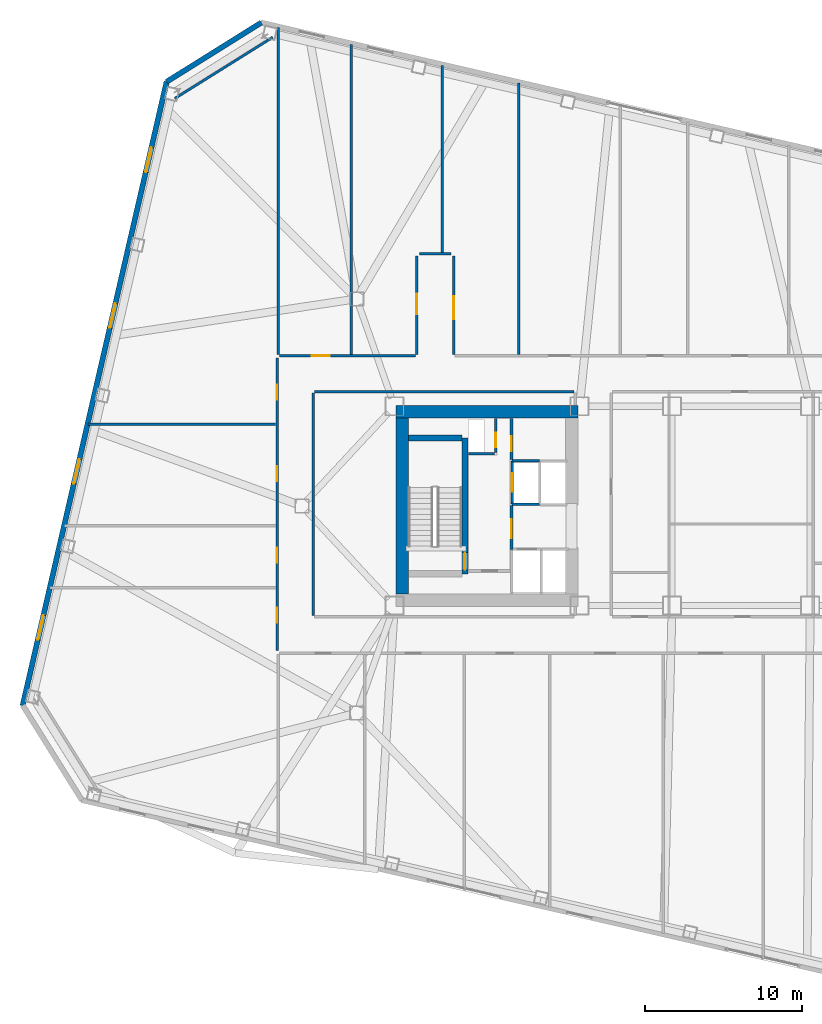
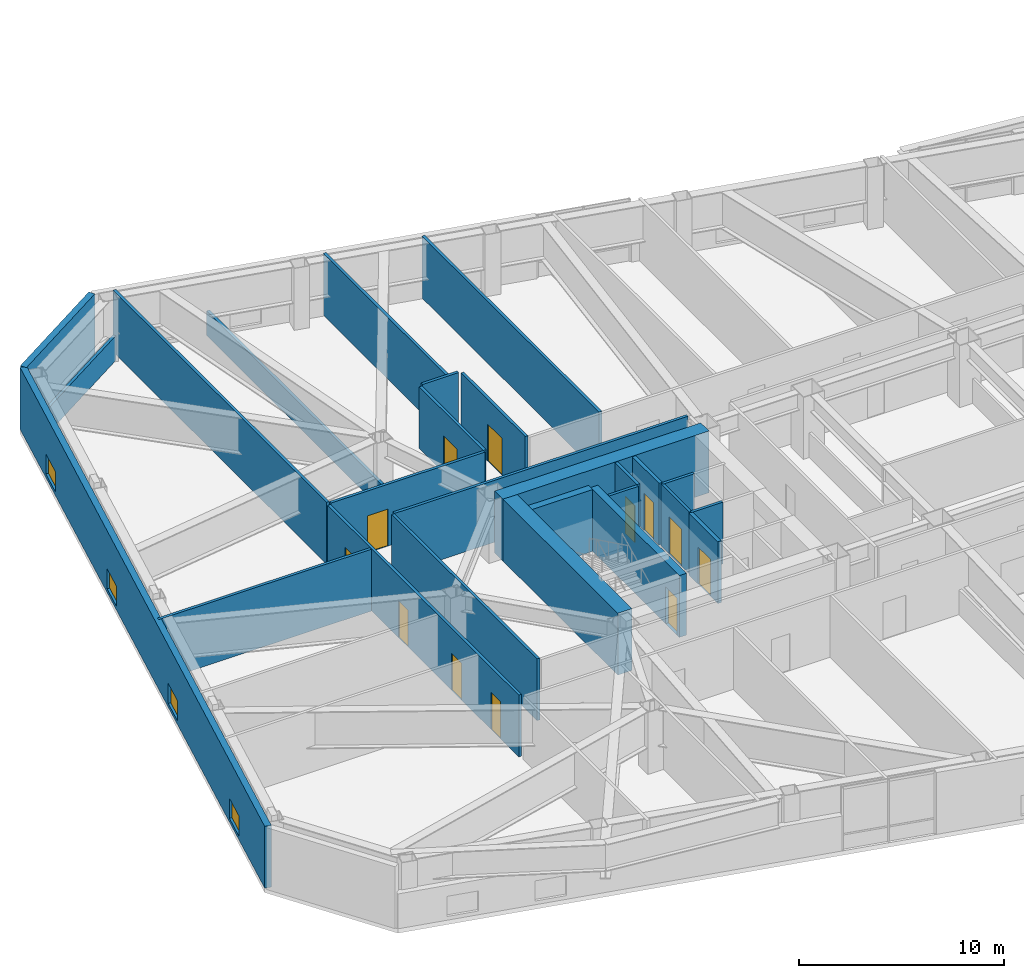
# One storey, part 11 of 19: 26 walls, 12 doors, 4 windows, 16 openings.
"""IFC4 building model written with IfcOpenShell, lengths in metres."""

from ifc_helpers import new_model, si_unit, direction, frame, frame_2d, origin, place, context, subcontext, project, spatial, rectangle, extrude, material, layer, layer_set, type_object, element, fill, save


model = new_model("IFC4")

# Units and contexts
model_context = context("Model", 3, precision=1e-05, world=origin(), true_north=direction((0.0, 1.0)))
body_context = subcontext(model_context, "Body", "Model", "MODEL_VIEW")
ifc_project = project(units=[si_unit("LENGTHUNIT", "METRE"), si_unit("AREAUNIT", "SQUARE_METRE"), si_unit("VOLUMEUNIT", "CUBIC_METRE"), si_unit("PLANEANGLEUNIT", "RADIAN"), si_unit("MASSUNIT", "GRAM", prefix="KILO")], contexts=[model_context])

# Site, building, storey
site_placement = place(None, origin())
site = spatial("IfcSite", under=ifc_project, at=site_placement, CompositionType="ELEMENT")
building_placement = place(site_placement, origin())
building = spatial("IfcBuilding", under=site, at=building_placement, Name="Tavrogorsk Clinical Tower", CompositionType="ELEMENT")
storey_placement = place(building_placement, frame((0.0, 0.0, 79.39990234375)))
storey = spatial("IfcBuildingStorey", under=building, at=storey_placement, Name="L17", CompositionType="ELEMENT", Elevation=79.39990234375)

# Wall, opening, door
ifc_material_1 = material(Name="Concrete B60", Category="concrete")
ifc_layer_1 = layer(ifc_material_1, 0.199951171875)
ifc_layer_set_1 = layer_set([ifc_layer_1], Name="Concrete B60")
wall_type_1 = type_object("IfcWallType", Name="CoreFireWall_200", PredefinedType="SOLIDWALL", material=ifc_layer_set_1)
wall_1_placement = place(storey_placement, frame((-14.639892578125, 2.9599609375, 0.0), z_axis=(0.0, 0.0, 1.0), x_axis=(0.0, 1.0, 0.0)))
wall_1 = element("IfcWall", 1, at=wall_1_placement, inside=storey, type_object=wall_type_1, Name="L17 Core West North Core Room East Wall", PredefinedType="SOLIDWALL", context=body_context, shape_type="SweptSolid", body=[
    extrude(rectangle(XDim=2.60009765625, YDim=0.199951171875, at=frame_2d((1.300048828125, 0.0))), origin(), (0.0, 0.0, 1.0), 3.68017578125),
])
opening_1_placement = place(wall_1_placement, frame((0.52001953125, 0.0, 0.0)))
opening_1 = element("IfcOpeningElement", 2, at=opening_1_placement, cuts=wall_1, Name="Opening ID-02", PredefinedType="OPENING", context=body_context, shape_type="SweptSolid", body=[
    extrude(rectangle(XDim=0.949951171875, YDim=2.199951171875, at=frame_2d((0.47509765625, 1.10009765625))), frame((0.0, 0.10986328125, 0.0), z_axis=(0.0, -1.0, 0.0), x_axis=(1.0, 0.0, 0.0)), (0.0, 0.0, 1.0), 0.219970703125),
])
ifc_material_2 = material(Name="Laminated timber leaf on aluminium frame", Category="wood")
door_type_1 = type_object("IfcDoorType", Name="InteriorDoor_ID02_950", OperationType="NOTDEFINED", PredefinedType="DOOR", material=ifc_material_2)
door_1_placement = place(opening_1_placement, origin())
door_1 = element("IfcDoor", 3, at=door_1_placement, inside=storey, type_object=door_type_1, Name="L17 Core West Core Telemetry Room Door", OperationType="SINGLE_SWING_LEFT", OverallHeight=2.199951171875, OverallWidth=0.949951171875, PredefinedType="DOOR", context=body_context, shape_type="SweptSolid", body=[
    extrude(rectangle(XDim=0.949951171875, YDim=2.199951171875, at=frame_2d((0.47509765625, 1.10009765625))), frame((0.0, 0.02490234375, 0.0), z_axis=(0.0, -1.0, 0.0), x_axis=(1.0, 0.0, 0.0)), (0.0, 0.0, 1.0), 0.050048828125),
])
fill(opening_1, door_1)

wall_2_placement = place(storey_placement, frame((-14.639892578125, -2.780029296875, 0.0), z_axis=(0.0, 0.0, 1.0), x_axis=(0.0, 1.0, 0.0)))
wall_2 = element("IfcWall", 4, at=wall_2_placement, inside=storey, type_object=wall_type_1, Name="L17 Core West Firefighting Lobby Fire Wall", PredefinedType="SOLIDWALL", context=body_context, shape_type="SweptSolid", body=[
    extrude(rectangle(XDim=2.820068359375, YDim=0.199951171875, at=frame_2d((1.41015625, 0.0))), origin(), (0.0, 0.0, 1.0), 3.68017578125),
])
opening_2_placement = place(wall_2_placement, frame((0.72998046875, 0.0, 0.0)))
opening_2 = element("IfcOpeningElement", 5, at=opening_2_placement, cuts=wall_2, Name="Opening FD-01", PredefinedType="OPENING", context=body_context, shape_type="SweptSolid", body=[
    extrude(rectangle(XDim=1.199951171875, YDim=2.199951171875, at=frame_2d((0.60009765625, 1.10009765625))), frame((0.0, 0.10986328125, 0.0), z_axis=(0.0, -1.0, 0.0), x_axis=(1.0, 0.0, 0.0)), (0.0, 0.0, 1.0), 0.219970703125),
])
ifc_material_3 = material(Name="Galvanised steel fire-rated door assembly", Category="steel")
door_type_2 = type_object("IfcDoorType", Name="FireDoor_FD01_1200", OperationType="NOTDEFINED", PredefinedType="DOOR", material=ifc_material_3)
door_2_placement = place(opening_2_placement, origin())
door_2 = element("IfcDoor", 6, at=door_2_placement, inside=storey, type_object=door_type_2, Name="L17 Core West Firefighting Lobby Entry Door", OperationType="SINGLE_SWING_RIGHT", OverallHeight=2.199951171875, OverallWidth=1.199951171875, PredefinedType="DOOR", context=body_context, shape_type="SweptSolid", body=[
    extrude(rectangle(XDim=1.199951171875, YDim=2.199951171875, at=frame_2d((0.60009765625, 1.10009765625))), frame((0.0, 0.02490234375, 0.0), z_axis=(0.0, -1.0, 0.0), x_axis=(1.0, 0.0, 0.0)), (0.0, 0.0, 1.0), 0.050048828125),
])
fill(opening_2, door_2)

# Wall
ifc_material_4 = material(Name="Lightweight concrete blockwork B15", Category="masonry")
ifc_layer_2 = layer(ifc_material_4, 0.159912109375)
ifc_layer_set_2 = layer_set([ifc_layer_2], Name="Lightweight concrete blockwork B15")
wall_type_2 = type_object("IfcWallType", Name="PartitionWall_160", PredefinedType="PARTITIONING", material=ifc_layer_set_2)
wall_3_placement = place(storey_placement, frame((-29.859619140625, 29.8681640625, 0.0), z_axis=(0.0, 0.0, 1.0), x_axis=(-0.848043064089, -0.529927317139, 0.0)))
element("IfcWall", 7, at=wall_3_placement, inside=storey, type_object=wall_type_2, Name="L17 Corner Exoskeleton Brace Furring Wall 3", PredefinedType="PARTITIONING", context=body_context, shape_type="SweptSolid", body=[
    extrude(rectangle(XDim=7.353759765625, YDim=0.159912109375, at=frame_2d((3.6767578125, 0.0))), origin(), (0.0, 0.0, 1.0), 1.47509765625),
])

# Wall, openings, doors
wall_4_placement = place(storey_placement, frame((-29.580078125, -9.215087890625, 0.0), z_axis=(0.0, 0.0, 1.0), x_axis=(0.0, 1.0, 0.0)))
wall_4 = element("IfcWall", 8, at=wall_4_placement, inside=storey, type_object=wall_type_2, Name="L17 Corridor Partition 01", PredefinedType="PARTITIONING", context=body_context, shape_type="SweptSolid", body=[
    extrude(rectangle(XDim=18.630126953125, YDim=0.159912109375, at=frame_2d((9.31494140625, 0.0))), origin(), (0.0, 0.0, 1.0), 3.68017578125),
])
opening_3_placement = place(wall_4_placement, frame((1.76904296875, 0.0, 0.0)))
opening_3 = element("IfcOpeningElement", 9, at=opening_3_placement, cuts=wall_4, Name="Opening ID-02", PredefinedType="OPENING", context=body_context, shape_type="SweptSolid", body=[
    extrude(rectangle(XDim=0.949951171875, YDim=2.199951171875, at=frame_2d((0.47509765625, 1.10009765625))), frame((0.0, 0.08984375, 0.0), z_axis=(0.0, -1.0, 0.0), x_axis=(1.0, 0.0, 0.0)), (0.0, 0.0, 1.0), 0.179931640625),
])
opening_4_placement = place(wall_4_placement, frame((5.60009765625, 0.0, 0.0)))
opening_4 = element("IfcOpeningElement", 10, at=opening_4_placement, cuts=wall_4, Name="Opening ID-02", PredefinedType="OPENING", context=body_context, shape_type="SweptSolid", body=[
    extrude(rectangle(XDim=0.949951171875, YDim=2.199951171875, at=frame_2d((0.47509765625, 1.10009765625))), frame((0.0, 0.08984375, 0.0), z_axis=(0.0, -1.0, 0.0), x_axis=(1.0, 0.0, 0.0)), (0.0, 0.0, 1.0), 0.179931640625),
])
opening_5_placement = place(wall_4_placement, frame((10.800048828125, 0.0, 0.0)))
opening_5 = element("IfcOpeningElement", 11, at=opening_5_placement, cuts=wall_4, Name="Opening ID-02", PredefinedType="OPENING", context=body_context, shape_type="SweptSolid", body=[
    extrude(rectangle(XDim=0.949951171875, YDim=2.199951171875, at=frame_2d((0.47509765625, 1.10009765625))), frame((0.0, 0.08984375, 0.0), z_axis=(0.0, -1.0, 0.0), x_axis=(1.0, 0.0, 0.0)), (0.0, 0.0, 1.0), 0.179931640625),
])
opening_6_placement = place(wall_4_placement, frame((15.98095703125, 0.0, 0.0)))
opening_6 = element("IfcOpeningElement", 12, at=opening_6_placement, cuts=wall_4, Name="Opening ID-02", PredefinedType="OPENING", context=body_context, shape_type="SweptSolid", body=[
    extrude(rectangle(XDim=0.949951171875, YDim=2.199951171875, at=frame_2d((0.47509765625, 1.10009765625))), frame((0.0, 0.08984375, 0.0), z_axis=(0.0, -1.0, 0.0), x_axis=(1.0, 0.0, 0.0)), (0.0, 0.0, 1.0), 0.179931640625),
])
door_3_placement = place(opening_3_placement, origin())
door_3 = element("IfcDoor", 13, at=door_3_placement, inside=storey, type_object=door_type_1, Name="L17 W Solarium Day Room & Lounge 1 Door", OperationType="SINGLE_SWING_LEFT", OverallHeight=2.199951171875, OverallWidth=0.949951171875, PredefinedType="DOOR", context=body_context, shape_type="SweptSolid", body=[
    extrude(rectangle(XDim=0.949951171875, YDim=2.199951171875, at=frame_2d((0.47509765625, 1.10009765625))), frame((0.0, 0.02490234375, 0.0), z_axis=(0.0, -1.0, 0.0), x_axis=(1.0, 0.0, 0.0)), (0.0, 0.0, 1.0), 0.050048828125),
])
fill(opening_3, door_3)
door_4_placement = place(opening_4_placement, origin())
door_4 = element("IfcDoor", 14, at=door_4_placement, inside=storey, type_object=door_type_1, Name="L17 W Rehabilitation Therapy Suite 2 Door", OperationType="SINGLE_SWING_RIGHT", OverallHeight=2.199951171875, OverallWidth=0.949951171875, PredefinedType="DOOR", context=body_context, shape_type="SweptSolid", body=[
    extrude(rectangle(XDim=0.949951171875, YDim=2.199951171875, at=frame_2d((0.47509765625, 1.10009765625))), frame((0.0, 0.02490234375, 0.0), z_axis=(0.0, -1.0, 0.0), x_axis=(1.0, 0.0, 0.0)), (0.0, 0.0, 1.0), 0.050048828125),
])
fill(opening_4, door_4)
door_5_placement = place(opening_5_placement, origin())
door_5 = element("IfcDoor", 15, at=door_5_placement, inside=storey, type_object=door_type_1, Name="L17 W Sub-Acute Observation Suite 3 Door", OperationType="SINGLE_SWING_LEFT", OverallHeight=2.199951171875, OverallWidth=0.949951171875, PredefinedType="DOOR", context=body_context, shape_type="SweptSolid", body=[
    extrude(rectangle(XDim=0.949951171875, YDim=2.199951171875, at=frame_2d((0.47509765625, 1.10009765625))), frame((0.0, 0.02490234375, 0.0), z_axis=(0.0, -1.0, 0.0), x_axis=(1.0, 0.0, 0.0)), (0.0, 0.0, 1.0), 0.050048828125),
])
fill(opening_5, door_5)
door_6_placement = place(opening_6_placement, origin())
door_6 = element("IfcDoor", 16, at=door_6_placement, inside=storey, type_object=door_type_1, Name="L17 W Family Consultation Lounge 4 Door", OperationType="SINGLE_SWING_RIGHT", OverallHeight=2.199951171875, OverallWidth=0.949951171875, PredefinedType="DOOR", context=body_context, shape_type="SweptSolid", body=[
    extrude(rectangle(XDim=0.949951171875, YDim=2.199951171875, at=frame_2d((0.47509765625, 1.10009765625))), frame((0.0, 0.02490234375, 0.0), z_axis=(0.0, -1.0, 0.0), x_axis=(1.0, 0.0, 0.0)), (0.0, 0.0, 1.0), 0.050048828125),
])
fill(opening_6, door_6)

# Wall, opening, door
wall_5_placement = place(storey_placement, frame((-29.4150390625, 9.580078125, 0.0), z_axis=(0.0, 0.0, 1.0), x_axis=(1.0, 0.0, 0.0)))
wall_5 = element("IfcWall", 17, at=wall_5_placement, inside=storey, type_object=wall_type_2, Name="L17 Corridor Partition 02", PredefinedType="PARTITIONING", context=body_context, shape_type="SweptSolid", body=[
    extrude(rectangle(XDim=8.650146484375, YDim=0.159912109375, at=frame_2d((4.3251953125, 0.0))), origin(), (0.0, 0.0, 1.0), 3.68017578125),
])
opening_7_placement = place(wall_5_placement, frame((2.044189453125, 0.0, 0.0)))
opening_7 = element("IfcOpeningElement", 18, at=opening_7_placement, cuts=wall_5, Name="Opening ID-06", PredefinedType="OPENING", context=body_context, shape_type="SweptSolid", body=[
    extrude(rectangle(XDim=1.14990234375, YDim=2.199951171875, at=frame_2d((0.574951171875, 1.10009765625))), frame((0.0, 0.08984375, 0.0), z_axis=(0.0, -1.0, 0.0), x_axis=(1.0, 0.0, 0.0)), (0.0, 0.0, 1.0), 0.179931640625),
])
ifc_material_5 = material(Name="Antibacterial HPL procedure door on aluminium frame", Category="aluminium")
door_type_3 = type_object("IfcDoorType", Name="LabDoor_ID06_1150", OperationType="NOTDEFINED", PredefinedType="DOOR", material=ifc_material_5)
door_7_placement = place(opening_7_placement, origin())
door_7 = element("IfcDoor", 19, at=door_7_placement, inside=storey, type_object=door_type_3, Name="L17 North Patient & Family Quiet Lounge 01 Door", OperationType="SINGLE_SWING_LEFT", OverallHeight=2.199951171875, OverallWidth=1.14990234375, PredefinedType="DOOR", context=body_context, shape_type="SweptSolid", body=[
    extrude(rectangle(XDim=1.14990234375, YDim=2.199951171875, at=frame_2d((0.574951171875, 1.10009765625))), frame((0.0, 0.02490234375, 0.0), z_axis=(0.0, -1.0, 0.0), x_axis=(1.0, 0.0, 0.0)), (0.0, 0.0, 1.0), 0.050048828125),
])
fill(opening_7, door_7)

wall_6_placement = place(storey_placement, frame((-20.679931640625, 9.6650390625, 0.0), z_axis=(0.0, 0.0, 1.0), x_axis=(0.0, 1.0, 0.0)))
wall_6 = element("IfcWall", 20, at=wall_6_placement, inside=storey, type_object=wall_type_2, Name="L17 Corridor Partition 03", PredefinedType="PARTITIONING", context=body_context, shape_type="SweptSolid", body=[
    extrude(rectangle(XDim=6.25, YDim=0.159912109375, at=frame_2d((3.125, 0.0))), origin(), (0.0, 0.0, 1.0), 3.68017578125),
])
opening_8_placement = place(wall_6_placement, frame((2.56005859375, 0.0, 0.0)))
opening_8 = element("IfcOpeningElement", 21, at=opening_8_placement, cuts=wall_6, Name="Opening ID-01", PredefinedType="OPENING", context=body_context, shape_type="SweptSolid", body=[
    extrude(rectangle(XDim=1.300048828125, YDim=2.199951171875, at=frame_2d((0.64990234375, 1.10009765625))), frame((0.0, 0.08984375, 0.0), z_axis=(0.0, -1.0, 0.0), x_axis=(1.0, 0.0, 0.0)), (0.0, 0.0, 1.0), 0.179931640625),
])
ifc_material_6 = material(Name="Antibacterial HPL medical leaf on aluminium frame", Category="aluminium")
door_type_4 = type_object("IfcDoorType", Name="WardBedDoor_ID01_1300", OperationType="NOTDEFINED", PredefinedType="DOOR", material=ifc_material_6)
door_8_placement = place(opening_8_placement, origin())
door_8 = element("IfcDoor", 22, at=door_8_placement, inside=storey, type_object=door_type_4, Name="L17 North Acute Isolation Suite 02A Door", OperationType="SINGLE_SWING_RIGHT", OverallHeight=2.199951171875, OverallWidth=1.300048828125, PredefinedType="DOOR", context=body_context, shape_type="SweptSolid", body=[
    extrude(rectangle(XDim=1.300048828125, YDim=2.199951171875, at=frame_2d((0.64990234375, 1.10009765625))), frame((0.0, 0.02490234375, 0.0), z_axis=(0.0, -1.0, 0.0), x_axis=(1.0, 0.0, 0.0)), (0.0, 0.0, 1.0), 0.050048828125),
])
fill(opening_8, door_8)

# Wall
wall_7_placement = place(storey_placement, frame((-20.514892578125, 16.080078125, 0.0), z_axis=(0.0, 0.0, 1.0), x_axis=(1.0, 0.0, 0.0)))
element("IfcWall", 23, at=wall_7_placement, inside=storey, type_object=wall_type_2, Name="L17 Corridor Partition 04", PredefinedType="PARTITIONING", context=body_context, shape_type="SweptSolid", body=[
    extrude(rectangle(XDim=2.02978515625, YDim=0.159912109375, at=frame_2d((1.014892578125, 0.0))), origin(), (0.0, 0.0, 1.0), 3.68017578125),
])

# Wall, opening, door
wall_8_placement = place(storey_placement, frame((-18.320068359375, 15.9150390625, 0.0), z_axis=(0.0, 0.0, 1.0), x_axis=(0.0, -1.0, 0.0)))
wall_8 = element("IfcWall", 24, at=wall_8_placement, inside=storey, type_object=wall_type_2, Name="L17 Corridor Partition 05", PredefinedType="PARTITIONING", context=body_context, shape_type="SweptSolid", body=[
    extrude(rectangle(XDim=6.25, YDim=0.159912109375, at=frame_2d((3.125, 0.0))), origin(), (0.0, 0.0, 1.0), 3.68017578125),
])
opening_9_placement = place(wall_8_placement, frame((2.56005859375, 0.0, 0.0)))
opening_9 = element("IfcOpeningElement", 25, at=opening_9_placement, cuts=wall_8, Name="Opening ID-05", PredefinedType="OPENING", context=body_context, shape_type="SweptSolid", body=[
    extrude(rectangle(XDim=1.449951171875, YDim=2.199951171875, at=frame_2d((0.72509765625, 1.10009765625))), frame((0.0, 0.08984375, 0.0), z_axis=(0.0, -1.0, 0.0), x_axis=(1.0, 0.0, 0.0)), (0.0, 0.0, 1.0), 0.179931640625),
])
ifc_material_7 = material(Name="Antibacterial HPL bariatric ward double door")
door_type_5 = type_object("IfcDoorType", Name="DoubleWardDoor_ID05_1450", OperationType="DOUBLE_SWING_LEFT", PredefinedType="DOOR", material=ifc_material_7)
door_9_placement = place(opening_9_placement, origin())
door_9 = element("IfcDoor", 26, at=door_9_placement, inside=storey, type_object=door_type_5, Name="L17 North Step-Down Telemetry Ward 02B Door", OperationType="DOUBLE_SWING_LEFT", OverallHeight=2.199951171875, OverallWidth=1.449951171875, PredefinedType="DOOR", context=body_context, shape_type="SweptSolid", body=[
    extrude(rectangle(XDim=1.449951171875, YDim=2.199951171875, at=frame_2d((0.72509765625, 1.10009765625))), frame((0.0, 0.02490234375, 0.0), z_axis=(0.0, -1.0, 0.0), x_axis=(1.0, 0.0, 0.0)), (0.0, 0.0, 1.0), 0.050048828125),
])
fill(opening_9, door_9)

# Walls
wall_9_placement = place(storey_placement, frame((-10.6650390625, 7.27001953125, 0.0), z_axis=(0.0, 0.0, 1.0), x_axis=(-1.0, 0.0, 0.0)))
element("IfcWall", 27, at=wall_9_placement, inside=storey, type_object=wall_type_2, Name="L17 Corridor Partition 20", PredefinedType="PARTITIONING", context=body_context, shape_type="SweptSolid", body=[
    extrude(rectangle(XDim=16.52001953125, YDim=0.159912109375, at=frame_2d((8.260009765625, 0.0))), origin(), (0.0, 0.0, 1.0), 3.68017578125),
])
wall_10_placement = place(storey_placement, frame((-27.27001953125, 7.18505859375, 0.0), z_axis=(0.0, 0.0, 1.0), x_axis=(0.0, -1.0, 0.0)))
element("IfcWall", 28, at=wall_10_placement, inside=storey, type_object=wall_type_2, Name="L17 Corridor Partition 21", PredefinedType="PARTITIONING", context=body_context, shape_type="SweptSolid", body=[
    extrude(rectangle(XDim=14.170166015625, YDim=0.159912109375, at=frame_2d((7.0849609375, 0.0))), origin(), (0.0, 0.0, 1.0), 3.68017578125),
])
wall_11_placement = place(storey_placement, frame((-29.5, 9.6650390625, 0.0), z_axis=(0.0, 0.0, 1.0), x_axis=(0.0, 1.0, 0.0)))
element("IfcWall", 29, at=wall_11_placement, inside=storey, type_object=wall_type_2, Name="L17 NW Wing Closure Partition", PredefinedType="PARTITIONING", context=body_context, shape_type="SweptSolid", body=[
    extrude(rectangle(XDim=20.818603515625, YDim=0.159912109375, at=frame_2d((10.4091796875, 0.0))), origin(), (0.0, 0.0, 1.0), 3.68017578125),
])
wall_12_placement = place(storey_placement, frame((-24.85009765625, 9.6650390625, 0.0), z_axis=(0.0, 0.0, 1.0), x_axis=(0.0, 1.0, 0.0)))
element("IfcWall", 30, at=wall_12_placement, inside=storey, type_object=wall_type_2, Name="L17 North Room Partition 1", PredefinedType="PARTITIONING", context=body_context, shape_type="SweptSolid", body=[
    extrude(rectangle(XDim=19.7451171875, YDim=0.159912109375, at=frame_2d((9.87255859375, 0.0))), origin(), (0.0, 0.0, 1.0), 1.47509765625),
])
wall_13_placement = place(storey_placement, frame((-14.159912109375, 9.6650390625, 0.0), z_axis=(0.0, 0.0, 1.0), x_axis=(0.0, 1.0, 0.0)))
element("IfcWall", 31, at=wall_13_placement, inside=storey, type_object=wall_type_2, Name="L17 North Room Partition 2", PredefinedType="PARTITIONING", context=body_context, shape_type="SweptSolid", body=[
    extrude(rectangle(XDim=17.277099609375, YDim=0.159912109375, at=frame_2d((8.638671875, 0.0))), origin(), (0.0, 0.0, 1.0), 3.68017578125),
])
wall_14_placement = place(storey_placement, frame((-19.054931640625, 16.0849609375, 0.0), z_axis=(0.0, 0.0, 1.0), x_axis=(0.0, 1.0, 0.0)))
element("IfcWall", 32, at=wall_14_placement, inside=storey, type_object=wall_type_2, Name="L17 North Sub-Partition 2", PredefinedType="PARTITIONING", context=body_context, shape_type="SweptSolid", body=[
    extrude(rectangle(XDim=11.9873046875, YDim=0.159912109375, at=frame_2d((5.99365234375, 0.0))), origin(), (0.0, 0.0, 1.0), 3.68017578125),
])
wall_15_placement = place(storey_placement, frame((-41.64111328125, 5.199951171875, 0.0), z_axis=(0.0, 0.0, 1.0), x_axis=(1.0, 0.0, 0.0)))
element("IfcWall", 33, at=wall_15_placement, inside=storey, type_object=wall_type_2, Name="L17 W Wing Divider 3", PredefinedType="PARTITIONING", context=body_context, shape_type="SweptSolid", body=[
    extrude(rectangle(XDim=11.97607421875, YDim=0.159912109375, at=frame_2d((5.988037109375, 0.0))), origin(), (0.0, 0.0, 1.0), 3.68017578125),
])

# Wall, openings, windows
ifc_material_8 = material(Name="Precast concrete B45 with limestone cladding", Category="masonry")
ifc_layer_3 = layer(ifc_material_8, 0.340087890625)
ifc_layer_set_3 = layer_set([ifc_layer_3], Name="Precast concrete B45 with limestone cladding")
wall_type_3 = type_object("IfcWallType", Name="PrecastLimestoneWall_340", PredefinedType="STANDARD", material=ifc_layer_set_3)
wall_16_placement = place(storey_placement, frame((-36.6201171875, 27.036865234375, 0.0), z_axis=(0.0, 0.0, 1.0), x_axis=(-0.224951280646, -0.974370012539, 0.0)))
wall_16 = element("IfcWall", 34, at=wall_16_placement, inside=storey, type_object=wall_type_3, Name="L17 W Pleated Limestone Wing Wall", PredefinedType="STANDARD", context=body_context, shape_type="SweptSolid", body=[
    extrude(rectangle(XDim=40.7998046875, YDim=0.340087890625, at=frame_2d((20.39990234375, 0.0))), origin(), (0.0, 0.0, 1.0), 3.68017578125),
])
opening_10_placement = place(wall_16_placement, frame((4.300048828125, 0.0, 0.219970703125)))
opening_10 = element("IfcOpeningElement", 35, at=opening_10_placement, cuts=wall_16, Name="Opening WN-09", PredefinedType="OPENING", context=body_context, shape_type="SweptSolid", body=[
    extrude(rectangle(XDim=1.60009765625, YDim=1.199951171875, at=frame_2d((0.800048828125, 0.60009765625))), frame((0.0, 0.179931640625, 0.0), z_axis=(0.0, -1.0, 0.0), x_axis=(1.0, 0.0, 0.0)), (0.0, 0.0, 1.0), 0.360107421875),
])
opening_11_placement = place(wall_16_placement, frame((14.5, 0.0, 0.219970703125)))
opening_11 = element("IfcOpeningElement", 36, at=opening_11_placement, cuts=wall_16, Name="Opening WN-09", PredefinedType="OPENING", context=body_context, shape_type="SweptSolid", body=[
    extrude(rectangle(XDim=1.60009765625, YDim=1.199951171875, at=frame_2d((0.800048828125, 0.60009765625))), frame((0.0, 0.179931640625, 0.0), z_axis=(0.0, -1.0, 0.0), x_axis=(1.0, 0.0, 0.0)), (0.0, 0.0, 1.0), 0.360107421875),
])
opening_12_placement = place(wall_16_placement, frame((24.699951171875, 0.0, 0.219970703125)))
opening_12 = element("IfcOpeningElement", 37, at=opening_12_placement, cuts=wall_16, Name="Opening WN-09", PredefinedType="OPENING", context=body_context, shape_type="SweptSolid", body=[
    extrude(rectangle(XDim=1.60009765625, YDim=1.199951171875, at=frame_2d((0.800048828125, 0.60009765625))), frame((0.0, 0.179931640625, 0.0), z_axis=(0.0, -1.0, 0.0), x_axis=(1.0, 0.0, 0.0)), (0.0, 0.0, 1.0), 0.360107421875),
])
opening_13_placement = place(wall_16_placement, frame((34.89990234375, 0.0, 0.219970703125)))
opening_13 = element("IfcOpeningElement", 38, at=opening_13_placement, cuts=wall_16, Name="Opening WN-09", PredefinedType="OPENING", context=body_context, shape_type="SweptSolid", body=[
    extrude(rectangle(XDim=1.60009765625, YDim=1.199951171875, at=frame_2d((0.800048828125, 0.60009765625))), frame((0.0, 0.179931640625, 0.0), z_axis=(0.0, -1.0, 0.0), x_axis=(1.0, 0.0, 0.0)), (0.0, 0.0, 1.0), 0.360107421875),
])
ifc_material_9 = material(Name="Thermally broken aluminium frame and triple IGU", Category="aluminium")
window_type = type_object("IfcWindowType", Name="LowHeadTransWin_1600x1200", PartitioningType="DOUBLE_PANEL_VERTICAL", PredefinedType="WINDOW", material=ifc_material_9)
window_1_placement = place(opening_10_placement, origin())
window_1 = element("IfcWindow", 39, at=window_1_placement, inside=storey, type_object=window_type, Name="L17 W Pleat Slot Window 1", OverallHeight=1.199951171875, OverallWidth=1.60009765625, PartitioningType="SINGLE_PANEL", PredefinedType="WINDOW", context=body_context, shape_type="SweptSolid", body=[
    extrude(rectangle(XDim=1.60009765625, YDim=1.199951171875, at=frame_2d((0.800048828125, 0.60009765625))), frame((0.0, 0.030029296875, 0.0), z_axis=(0.0, -1.0, 0.0), x_axis=(1.0, 0.0, 0.0)), (0.0, 0.0, 1.0), 0.06005859375),
])
fill(opening_10, window_1)
window_2_placement = place(opening_11_placement, origin())
window_2 = element("IfcWindow", 40, at=window_2_placement, inside=storey, type_object=window_type, Name="L17 W Pleat Slot Window 2", OverallHeight=1.199951171875, OverallWidth=1.60009765625, PartitioningType="SINGLE_PANEL", PredefinedType="WINDOW", context=body_context, shape_type="SweptSolid", body=[
    extrude(rectangle(XDim=1.60009765625, YDim=1.199951171875, at=frame_2d((0.800048828125, 0.60009765625))), frame((0.0, 0.030029296875, 0.0), z_axis=(0.0, -1.0, 0.0), x_axis=(1.0, 0.0, 0.0)), (0.0, 0.0, 1.0), 0.06005859375),
])
fill(opening_11, window_2)
window_3_placement = place(opening_12_placement, origin())
window_3 = element("IfcWindow", 41, at=window_3_placement, inside=storey, type_object=window_type, Name="L17 W Pleat Slot Window 3", OverallHeight=1.199951171875, OverallWidth=1.60009765625, PartitioningType="SINGLE_PANEL", PredefinedType="WINDOW", context=body_context, shape_type="SweptSolid", body=[
    extrude(rectangle(XDim=1.60009765625, YDim=1.199951171875, at=frame_2d((0.800048828125, 0.60009765625))), frame((0.0, 0.030029296875, 0.0), z_axis=(0.0, -1.0, 0.0), x_axis=(1.0, 0.0, 0.0)), (0.0, 0.0, 1.0), 0.06005859375),
])
fill(opening_12, window_3)
window_4_placement = place(opening_13_placement, origin())
window_4 = element("IfcWindow", 42, at=window_4_placement, inside=storey, type_object=window_type, Name="L17 W Pleat Slot Window 4", OverallHeight=1.199951171875, OverallWidth=1.60009765625, PartitioningType="SINGLE_PANEL", PredefinedType="WINDOW", context=body_context, shape_type="SweptSolid", body=[
    extrude(rectangle(XDim=1.60009765625, YDim=1.199951171875, at=frame_2d((0.800048828125, 0.60009765625))), frame((0.0, 0.030029296875, 0.0), z_axis=(0.0, -1.0, 0.0), x_axis=(1.0, 0.0, 0.0)), (0.0, 0.0, 1.0), 0.06005859375),
])
fill(opening_13, window_4)

# Wall
wall_17_placement = place(storey_placement, frame((-30.587646484375, 30.806640625, 0.0), z_axis=(0.0, 0.0, 1.0), x_axis=(-0.848031080615, -0.529946493819, 0.0)))
element("IfcWall", 43, at=wall_17_placement, inside=storey, type_object=wall_type_3, Name="L17 Chamfered Corner Wall 3", PredefinedType="STANDARD", context=body_context, shape_type="SweptSolid", body=[
    extrude(rectangle(XDim=7.113525390625, YDim=0.340087890625, at=frame_2d((3.556640625, 0.0))), origin(), (0.0, 0.0, 1.0), 3.68017578125),
])

# Wall, opening, door
ifc_material_10 = material(Name="Lightweight concrete blockwork B25", Category="masonry")
ifc_layer_4 = layer(ifc_material_10, 0.159912109375)
ifc_layer_set_4 = layer_set([ifc_layer_4], Name="Lightweight concrete blockwork B25")
wall_type_4 = type_object("IfcWallType", Name="ShaftWall_160", PredefinedType="PARTITIONING", material=ifc_layer_set_4)
wall_18_placement = place(storey_placement, frame((-14.60009765625, 0.1201171875, 0.0), z_axis=(0.0, 0.0, 1.0), x_axis=(0.0, 1.0, 0.0)))
wall_18 = element("IfcWall", 44, at=wall_18_placement, inside=storey, type_object=wall_type_4, Name="L17 FFL-W Firefighting Lift Front Wall", PredefinedType="PARTITIONING", context=body_context, shape_type="SweptSolid", body=[
    extrude(rectangle(XDim=2.739990234375, YDim=0.159912109375, at=frame_2d((1.3701171875, 0.0))), origin(), (0.0, 0.0, 1.0), 3.68017578125),
])
opening_14_placement = place(wall_18_placement, frame((0.77001953125, 0.0, 0.0)))
opening_14 = element("IfcOpeningElement", 45, at=opening_14_placement, cuts=wall_18, Name="Opening LD", PredefinedType="OPENING", context=body_context, shape_type="SweptSolid", body=[
    extrude(rectangle(XDim=1.199951171875, YDim=2.199951171875, at=frame_2d((0.60009765625, 1.10009765625))), frame((0.0, 0.08984375, 0.0), z_axis=(0.0, -1.0, 0.0), x_axis=(1.0, 0.0, 0.0)), (0.0, 0.0, 1.0), 0.179931640625),
])
ifc_material_11 = material(Name="Brushed stainless steel AISI 304 sliding doors", Category="steel")
door_type_6 = type_object("IfcDoorType", Name="LiftLandingDoor_LD_1200", OperationType="SLIDING_TO_LEFT", PredefinedType="DOOR", material=ifc_material_11)
door_10_placement = place(opening_14_placement, origin())
door_10 = element("IfcDoor", 46, at=door_10_placement, inside=storey, type_object=door_type_6, Name="L17 FFL-W Sliding Lift Landing Door", OperationType="SLIDING_TO_LEFT", OverallHeight=2.199951171875, OverallWidth=1.199951171875, PredefinedType="DOOR", context=body_context, shape_type="SweptSolid", body=[
    extrude(rectangle(XDim=1.199951171875, YDim=2.199951171875, at=frame_2d((0.60009765625, 1.10009765625))), frame((0.0, 0.02490234375, 0.0), z_axis=(0.0, -1.0, 0.0), x_axis=(1.0, 0.0, 0.0)), (0.0, 0.0, 1.0), 0.050048828125),
])
fill(opening_14, door_10)

# Walls
for number, where, z_axis, x_axis, name in (
    (47, (-14.60009765625, 0.10009765625, 0.0), (0.0, 0.0, 1.0), (1.0, 0.0, 0.0), "L17 FFL-W Shaft South Wall"),
    (48, (-14.60009765625, 2.8798828125, 0.0), (0.0, 0.0, 1.0), (1.0, 0.0, 0.0), "L17 FFL-W Shaft North Wall"),
):
    element("IfcWall", number, at=place(storey_placement, frame(where, z_axis=z_axis, x_axis=x_axis)), inside=storey, type_object=wall_type_4, Name=name, PredefinedType="PARTITIONING", context=body_context, shape_type="SweptSolid", body=[
        extrude(rectangle(XDim=1.760009765625, YDim=0.159912109375, at=frame_2d((0.8798828125, 0.0))), origin(), (0.0, 0.0, 1.0), 3.68017578125),
    ])

# Wall, opening, door
wall_19_placement = place(storey_placement, frame((-15.639892578125, 3.405029296875, 0.0), z_axis=(0.0, 0.0, 1.0), x_axis=(0.0, 1.0, 0.0)))
wall_19 = element("IfcWall", 49, at=wall_19_placement, inside=storey, type_object=wall_type_4, Name="L17 Core West Riser West Wall", PredefinedType="PARTITIONING", context=body_context, shape_type="SweptSolid", body=[
    extrude(rectangle(XDim=2.155029296875, YDim=0.159912109375, at=frame_2d((1.07763671875, 0.0))), origin(), (0.0, 0.0, 1.0), 3.68017578125),
])
opening_15_placement = place(wall_19_placement, frame((0.35009765625, 0.0, 0.0)))
opening_15 = element("IfcOpeningElement", 50, at=opening_15_placement, cuts=wall_19, Name="Opening FD-02", PredefinedType="OPENING", context=body_context, shape_type="SweptSolid", body=[
    extrude(rectangle(XDim=0.89990234375, YDim=2.199951171875, at=frame_2d((0.449951171875, 1.10009765625))), frame((0.0, 0.08984375, 0.0), z_axis=(0.0, -1.0, 0.0), x_axis=(1.0, 0.0, 0.0)), (0.0, 0.0, 1.0), 0.179931640625),
])
ifc_material_12 = material(Name="Galvanised steel fire-rated door assembly", Category="steel")
door_type_7 = type_object("IfcDoorType", Name="FireDoor_FD02_900", OperationType="NOTDEFINED", PredefinedType="DOOR", material=ifc_material_12)
door_11_placement = place(opening_15_placement, origin())
door_11 = element("IfcDoor", 51, at=door_11_placement, inside=storey, type_object=door_type_7, Name="L17 Core West Electrical Riser Access Door", OperationType="SINGLE_SWING_LEFT", OverallHeight=2.199951171875, OverallWidth=0.89990234375, PredefinedType="DOOR", context=body_context, shape_type="SweptSolid", body=[
    extrude(rectangle(XDim=0.89990234375, YDim=2.199951171875, at=frame_2d((0.449951171875, 1.10009765625))), frame((0.0, 0.02490234375, 0.0), z_axis=(0.0, -1.0, 0.0), x_axis=(1.0, 0.0, 0.0)), (0.0, 0.0, 1.0), 0.050048828125),
])
fill(opening_15, door_11)

# Wall
wall_20_placement = place(storey_placement, frame((-17.3798828125, 3.320068359375, 0.0), z_axis=(0.0, 0.0, 1.0), x_axis=(1.0, 0.0, 0.0)))
element("IfcWall", 52, at=wall_20_placement, inside=storey, type_object=wall_type_4, Name="L17 Core West Riser South Wall", PredefinedType="PARTITIONING", context=body_context, shape_type="SweptSolid", body=[
    extrude(rectangle(XDim=1.65478515625, YDim=0.159912109375, at=frame_2d((0.827392578125, 0.0))), origin(), (0.0, 0.0, 1.0), 3.68017578125),
])

# Wall, opening, door
ifc_material_13 = material(Name="Concrete B80", Category="concrete")
ifc_layer_5 = layer(ifc_material_13, 0.39990234375)
ifc_layer_set_5 = layer_set([ifc_layer_5], Name="Concrete B80")
wall_type_5 = type_object("IfcWallType", Name="ShearWall_400", PredefinedType="SHEAR", material=ifc_layer_set_5)
wall_21_placement = place(storey_placement, frame((-17.60009765625, -4.324951171875, 0.0), z_axis=(0.0, 0.0, 1.0), x_axis=(0.0, 1.0, 0.0)))
wall_21 = element("IfcWall", 53, at=wall_21_placement, inside=storey, type_object=wall_type_5, Name="L17 Core West Stair Shaft Inner Shear Wall", PredefinedType="SHEAR", context=body_context, shape_type="SweptSolid", body=[
    extrude(rectangle(XDim=8.64990234375, YDim=0.39990234375, at=frame_2d((4.324951171875, 0.0))), origin(), (0.0, 0.0, 1.0), 3.68017578125),
])
opening_16_placement = place(wall_21_placement, frame((0.25, 0.0, 0.0)))
opening_16 = element("IfcOpeningElement", 54, at=opening_16_placement, cuts=wall_21, Name="Opening SD-01", PredefinedType="OPENING", context=body_context, shape_type="SweptSolid", body=[
    extrude(rectangle(XDim=1.10009765625, YDim=2.199951171875, at=frame_2d((0.550048828125, 1.10009765625))), frame((0.0, 0.2099609375, 0.0), z_axis=(0.0, -1.0, 0.0), x_axis=(1.0, 0.0, 0.0)), (0.0, 0.0, 1.0), 0.419921875),
])
ifc_material_14 = material(Name="Galvanised steel smoke-tight fire door assembly", Category="steel")
door_type_8 = type_object("IfcDoorType", Name="StairFireDoor_SD01_1100", OperationType="NOTDEFINED", PredefinedType="DOOR", material=ifc_material_14)
door_12_placement = place(opening_16_placement, origin())
door_12 = element("IfcDoor", 55, at=door_12_placement, inside=storey, type_object=door_type_8, Name="L17 ST-W Exit Stair Door", OperationType="SINGLE_SWING_RIGHT", OverallHeight=2.199951171875, OverallWidth=1.10009765625, PredefinedType="DOOR", context=body_context, shape_type="SweptSolid", body=[
    extrude(rectangle(XDim=1.10009765625, YDim=2.199951171875, at=frame_2d((0.550048828125, 1.10009765625))), frame((0.0, 0.02490234375, 0.0), z_axis=(0.0, -1.0, 0.0), x_axis=(1.0, 0.0, 0.0)), (0.0, 0.0, 1.0), 0.050048828125),
])
fill(opening_16, door_12)

# Walls
wall_22_placement = place(storey_placement, frame((-21.199951171875, 4.324951171875, 0.0), z_axis=(0.0, 0.0, 1.0), x_axis=(1.0, 0.0, 0.0)))
element("IfcWall", 56, at=wall_22_placement, inside=storey, type_object=wall_type_5, Name="L17 Core West Stair Shaft North Shear Wall", PredefinedType="SHEAR", context=body_context, shape_type="SweptSolid", body=[
    extrude(rectangle(XDim=3.39990234375, YDim=0.39990234375, at=frame_2d((1.699951171875, 0.0))), origin(), (0.0, 0.0, 1.0), 3.68017578125),
])
ifc_material_15 = material(Name="Concrete B80", Category="concrete")
ifc_layer_6 = layer(ifc_material_15, 0.800048828125)
ifc_layer_set_6 = layer_set([ifc_layer_6], Name="Concrete B80")
wall_type_6 = type_object("IfcWallType", Name="ShearWall_800", PredefinedType="SHEAR", material=ifc_layer_set_6)
wall_23_placement = place(storey_placement, frame((-22.0, 6.0, 0.0), z_axis=(0.0, 0.0, 1.0), x_axis=(1.0, 0.0, 0.0)))
element("IfcWall", 57, at=wall_23_placement, inside=storey, type_object=wall_type_6, Name="L17 Core West North Shear Wall", PredefinedType="SHEAR", context=body_context, shape_type="SweptSolid", body=[
    extrude(rectangle(XDim=11.60009765625, YDim=0.800048828125, at=frame_2d((5.800048828125, 0.0))), origin(), (0.0, 0.0, 1.0), 3.68017578125),
])
wall_24_placement = place(storey_placement, frame((-21.60009765625, -5.60009765625, 0.0), z_axis=(0.0, 0.0, 1.0), x_axis=(0.0, 1.0, 0.0)))
element("IfcWall", 58, at=wall_24_placement, inside=storey, type_object=wall_type_6, Name="L17 Core West End Shear Wall", PredefinedType="SHEAR", context=body_context, shape_type="SweptSolid", body=[
    extrude(rectangle(XDim=11.2001953125, YDim=0.800048828125, at=frame_2d((5.60009765625, 0.0))), origin(), (0.0, 0.0, 1.0), 3.68017578125),
])

save(model, "model.ifc")
